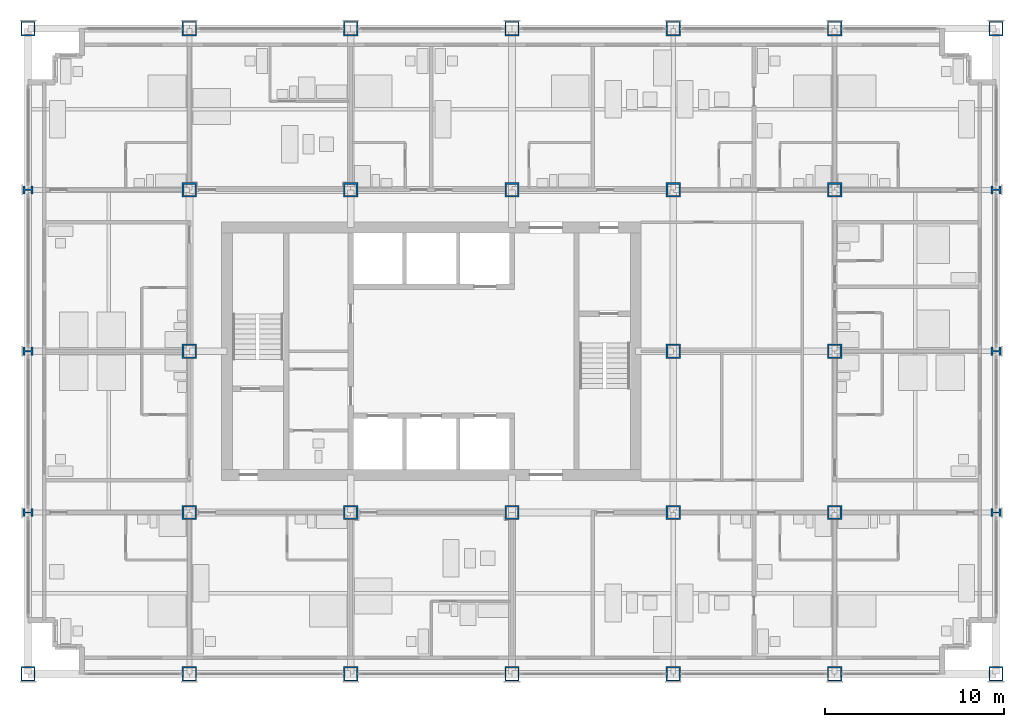
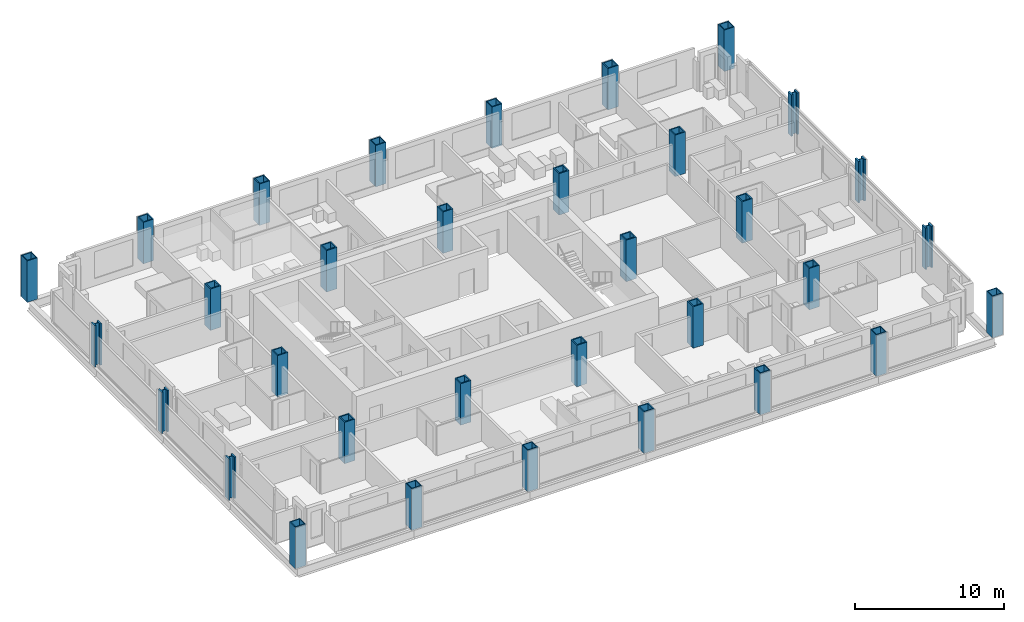
# One storey, part 1 of 18: 33 columns.
"""IFC4 building model written with IfcOpenShell, lengths in metres."""

import ifcopenshell
import ifcopenshell.guid

model = None  # the IFC model being written
_history = None  # IfcOwnerHistory: only IFC2X3 demands one
_inside = {}  # id of a spatial element -> (the spatial element, [elements in it])
_under = {}  # id of a project, library or spatial element -> (it, [spatial elements below it])
_declared = {}  # id of a project -> (the project, [libraries it declares])
_typed = {}  # id of a type object -> (the type object, [elements of that type])
_made_of = {}  # id of a material, layer set ... -> (it, [elements and type objects made of it])


def new_model(schema):
    """Start an empty IFC model of exactly this schema.

    Asked for "IFC4X3", IfcOpenShell would pick the latest addendum, in which some entities
    have other attributes; the version numbers below select the first issue.
    IFC2X3 requires an IfcOwnerHistory on every rooted entity: one is made here for all.
    """
    global model, _history
    if schema == "IFC4X3":
        model = ifcopenshell.file(schema_version=(4, 3, 0, 0))
    else:
        model = ifcopenshell.file(schema=schema)
    _inside.clear()
    _under.clear()
    _declared.clear()
    _typed.clear()
    _made_of.clear()
    _history = None
    if model.schema == "IFC2X3":
        org = make("IfcOrganization", Name="unknown")
        user = make(
            "IfcPersonAndOrganization",
            ThePerson=make("IfcPerson", FamilyName="unknown"),
            TheOrganization=org,
        )
        app = make(
            "IfcApplication",
            ApplicationDeveloper=org,
            Version="unknown",
            ApplicationFullName="unknown",
            ApplicationIdentifier="unknown",
        )
        _history = make(
            "IfcOwnerHistory",
            OwningUser=user,
            OwningApplication=app,
            ChangeAction="ADDED",
            CreationDate=0,
        )
    return model


def make(cls, **values):
    """One entity of the class cls with the attributes given. An attribute that is None is left unset."""
    return model.create_entity(
        cls, **{name: value for name, value in values.items() if value is not None}
    )


def rooted(cls, **values):
    """An entity with a GlobalId (a new one), such as an element, a storey or a relation."""
    return make(cls, GlobalId=ifcopenshell.guid.new(), OwnerHistory=_history, **values)


def si_unit(unit_type, name, prefix=None):
    """IfcSIUnit, for example si_unit("LENGTHUNIT", "METRE", prefix="MILLI")."""
    return make("IfcSIUnit", UnitType=unit_type, Prefix=prefix, Name=name)


def assignment(units):
    """IfcUnitAssignment: the units of a project."""
    return None if units is None else make("IfcUnitAssignment", Units=units)


def point(xyz):
    """IfcCartesianPoint."""
    return None if xyz is None else make("IfcCartesianPoint", Coordinates=xyz)


def direction(xyz):
    """IfcDirection."""
    return None if xyz is None else make("IfcDirection", DirectionRatios=xyz)


def frame(location, z_axis=None, x_axis=None):
    """IfcAxis2Placement3D, a coordinate frame: its origin and axes. An axis left out is left unset."""
    return make(
        "IfcAxis2Placement3D",
        Location=point(location),
        Axis=direction(z_axis),
        RefDirection=direction(x_axis),
    )


def frame_2d(location, x_axis=None):
    """IfcAxis2Placement2D, a coordinate frame in the plane: its origin and x axis."""
    return make(
        "IfcAxis2Placement2D", Location=point(location), RefDirection=direction(x_axis)
    )


def origin():
    """The frame at (0, 0, 0) with its axes left unset."""
    return frame((0.0, 0.0, 0.0))


def origin_2d():
    """The frame at (0, 0) in the plane with its x axis left unset."""
    return frame_2d((0.0, 0.0))


def place(relative_to, where):
    """IfcLocalPlacement: puts the frame where relative to a parent placement (None: the world)."""
    return make(
        "IfcLocalPlacement", PlacementRelTo=relative_to, RelativePlacement=where
    )


def context(
    kind, dimensions, precision=None, world=None, true_north=None, identifier=None
):
    """IfcGeometricRepresentationContext, for example the 3D "Model" context."""
    return make(
        "IfcGeometricRepresentationContext",
        ContextIdentifier=identifier,
        ContextType=kind,
        CoordinateSpaceDimension=dimensions,
        Precision=precision,
        WorldCoordinateSystem=world,
        TrueNorth=true_north,
    )


def subcontext(parent, identifier, kind, view, scale=None):
    """IfcGeometricRepresentationSubContext, for example "Body" below "Model"."""
    return make(
        "IfcGeometricRepresentationSubContext",
        ContextIdentifier=identifier,
        ContextType=kind,
        ParentContext=parent,
        TargetScale=scale,
        TargetView=view,
    )


def project(units=None, contexts=None):
    """IfcProject with its units and contexts."""
    return rooted(
        "IfcProject",
        Name="project",
        RepresentationContexts=contexts,
        UnitsInContext=assignment(units),
    )


def spatial(cls, under=None, at=None, **own):
    """A site, building, storey or space (cls), placed at a placement, below another one or the project."""
    s = rooted(cls, ObjectPlacement=at, **own)
    if under is not None:
        _under.setdefault(under.id(), (under, []))[1].append(s)
    return s


def profile(cls, at=None, kind="AREA", **sizes):
    """A parametric profile (cls). Its sizes go by their IFC names, for example OverallWidth=200.0."""
    return make(cls, ProfileType=kind, Position=at, **sizes)


def hollow_rectangle(**sizes):
    """IfcRectangleHollowProfileDef."""
    return profile("IfcRectangleHollowProfileDef", **sizes)


def i_section(**sizes):
    """IfcIShapeProfileDef."""
    return profile("IfcIShapeProfileDef", **sizes)


def extrude(swept, where, along, depth):
    """IfcExtrudedAreaSolid: the profile swept, set in the frame where, extruded along a direction by depth."""
    return make(
        "IfcExtrudedAreaSolid",
        SweptArea=swept,
        Position=where,
        ExtrudedDirection=direction(along),
        Depth=depth,
    )


def shape(context_of_items, identifier, shape_type, items):
    """IfcShapeRepresentation: the items that make up one representation, for example the "Body"."""
    return make(
        "IfcShapeRepresentation",
        ContextOfItems=context_of_items,
        RepresentationIdentifier=identifier,
        RepresentationType=shape_type,
        Items=items,
    )


def material(Name=None, Category=None):
    """IfcMaterial."""
    return make("IfcMaterial", Name=Name, Category=Category)


def material_profile(
    of_material, cross_section, Name=None, Category=None, Priority=None
):
    """IfcMaterialProfile: a cross section and its material."""
    return make(
        "IfcMaterialProfile",
        Name=Name,
        Material=of_material,
        Profile=cross_section,
        Priority=Priority,
        Category=Category,
    )


def profile_set(profiles, Name=None, composite=None):
    """IfcMaterialProfileSet."""
    return make(
        "IfcMaterialProfileSet",
        Name=Name,
        MaterialProfiles=profiles,
        CompositeProfile=composite,
    )


def made_of(thing, what):
    """Note that an element or type object is made of a material, layer set ...; save() writes the relation."""
    if what is not None:
        _made_of.setdefault(what.id(), (what, []))[1].append(thing)
    return thing


def type_object(cls, material=None, **own):
    """A type object (cls), such as IfcWallType, which elements share."""
    return made_of(rooted(cls, **own), material)


def element(
    cls,
    number,
    at=None,
    inside=None,
    cuts=None,
    type_object=None,
    material=None,
    context=None,
    identifier="Body",
    shape_type=None,
    held_by="IfcProductDefinitionShape",
    body=None,
    shapes=None,
    **own,
):
    """One element of the class cls, such as IfcWall. Its Tag is "e" and its number.

    at: its placement. inside: the storey or other place that contains it. cuts: it is an
    opening in that element (IfcRelVoidsElement). A single representation is given by context,
    identifier, shape_type and body (its items); several are given by shapes. held_by: the class
    of the entity that holds the representations. save() writes the other relations.
    """
    e = rooted(cls, Tag="e%d" % number, ObjectPlacement=at, **own)
    if body is not None:
        shapes = [shape(context, identifier, shape_type, body)]
    if shapes is not None:
        e.Representation = make(held_by, Representations=shapes)
    if inside is not None:
        _inside.setdefault(inside.id(), (inside, []))[1].append(e)
    if cuts is not None:
        rooted(
            "IfcRelVoidsElement", RelatingBuildingElement=cuts, RelatedOpeningElement=e
        )
    if type_object is not None:
        _typed.setdefault(type_object.id(), (type_object, []))[1].append(e)
    return made_of(e, material)


def aggregate(whole, parts):
    """IfcRelAggregates: a whole, such as a stair, and the parts it consists of."""
    return rooted("IfcRelAggregates", RelatingObject=whole, RelatedObjects=parts)


def save(model, path):
    """Write the relations noted so far, then the file.

    IfcRelAggregates (storeys below a building ...), IfcRelContainedInSpatialStructure (elements
    in a storey), IfcRelDefinesByType, IfcRelAssociatesMaterial and IfcRelDeclares: one each for
    every whole, place, type object, material and project.
    """
    for whole, parts in _under.values():
        aggregate(whole, parts)
    for where, things in _inside.values():
        rooted(
            "IfcRelContainedInSpatialStructure",
            RelatedElements=things,
            RelatingStructure=where,
        )
    for kind, things in _typed.values():
        rooted("IfcRelDefinesByType", RelatedObjects=things, RelatingType=kind)
    for what, things in _made_of.values():
        rooted("IfcRelAssociatesMaterial", RelatedObjects=things, RelatingMaterial=what)
    for by, libraries in _declared.values():
        rooted("IfcRelDeclares", RelatingContext=by, RelatedDefinitions=libraries)
    model.write(path)


model = new_model("IFC4")

# Units and contexts
model_context = context("Model", 3, precision=1e-05, world=origin(), true_north=direction((0.0, 1.0)))
body_context = subcontext(model_context, "Body", "Model", "MODEL_VIEW")
ifc_project = project(units=[si_unit("LENGTHUNIT", "METRE"), si_unit("AREAUNIT", "SQUARE_METRE"), si_unit("VOLUMEUNIT", "CUBIC_METRE"), si_unit("PLANEANGLEUNIT", "RADIAN"), si_unit("MASSUNIT", "GRAM", prefix="KILO")], contexts=[model_context])

# Site, building, storey
site_placement = place(None, origin())
site = spatial("IfcSite", under=ifc_project, at=site_placement, CompositionType="ELEMENT")
building_placement = place(site_placement, origin())
building = spatial("IfcBuilding", under=site, at=building_placement, Name="Loomwork Tower", CompositionType="ELEMENT")
storey_placement = place(building_placement, frame((0.0, 0.0, 72.199951171875)))
storey = spatial("IfcBuildingStorey", under=building, at=storey_placement, Name="L18", CompositionType="ELEMENT", Elevation=72.199951171875)

# Columns
ifc_material_1 = material(Name="Steel ASTM A572 Grade 50 plate", Category="steel")
ifc_material_profile_1 = material_profile(ifc_material_1, hollow_rectangle(XDim=0.800048828125, YDim=0.800048828125, WallThickness=0.070068359375, at=origin_2d()), Name="BOX800x70")
ifc_profile_set_1 = profile_set([ifc_material_profile_1], Name="Steel ASTM A572 Grade 50 plate")
column_type_1 = type_object("IfcColumnType", Name="EXOSKELETON PIER BOX800x70", PredefinedType="COLUMN", material=ifc_profile_set_1)
for number, where, z_axis, x_axis, name in (
    (1, (0.0, 0.0, 0.0), (0.0, 0.0, 1.0), (1.0, 0.0, 0.0), "Exoskeleton Pier D/2 L18"),
    (2, (0.0, 36.0, 0.0), (0.0, 0.0, 1.0), (1.0, 0.0, 0.0), "Exoskeleton Pier H/2 L18"),
    (3, (9.0, 0.0, 0.0), (0.0, 0.0, 1.0), (1.0, 0.0, 0.0), "Exoskeleton Pier D/3 L18"),
    (4, (9.0, 36.0, 0.0), (0.0, 0.0, 1.0), (1.0, 0.0, 0.0), "Exoskeleton Pier H/3 L18"),
    (5, (18.0, 0.0, 0.0), (0.0, 0.0, 1.0), (1.0, 0.0, 0.0), "Exoskeleton Pier D/4 L18"),
    (6, (18.0, 36.0, 0.0), (0.0, 0.0, 1.0), (1.0, 0.0, 0.0), "Exoskeleton Pier H/4 L18"),
    (7, (27.0, 0.0, 0.0), (0.0, 0.0, 1.0), (1.0, 0.0, 0.0), "Exoskeleton Pier D/5 L18"),
    (8, (27.0, 36.0, 0.0), (0.0, 0.0, 1.0), (1.0, 0.0, 0.0), "Exoskeleton Pier H/5 L18"),
    (9, (36.0, 0.0, 0.0), (0.0, 0.0, 1.0), (1.0, 0.0, 0.0), "Exoskeleton Pier D/6 L18"),
    (10, (36.0, 36.0, 0.0), (0.0, 0.0, 1.0), (1.0, 0.0, 0.0), "Exoskeleton Pier H/6 L18"),
    (11, (45.0, 0.0, 0.0), (0.0, 0.0, 1.0), (1.0, 0.0, 0.0), "Exoskeleton Pier D/7 L18"),
    (12, (45.0, 36.0, 0.0), (0.0, 0.0, 1.0), (1.0, 0.0, 0.0), "Exoskeleton Pier H/7 L18"),
    (13, (54.0, 0.0, 0.0), (0.0, 0.0, 1.0), (1.0, 0.0, 0.0), "Exoskeleton Pier D/8 L18"),
    (14, (54.0, 36.0, 0.0), (0.0, 0.0, 1.0), (1.0, 0.0, 0.0), "Exoskeleton Pier H/8 L18"),
):
    element("IfcColumn", number, at=place(storey_placement, frame(where, z_axis=z_axis, x_axis=x_axis)), inside=storey, type_object=column_type_1, Name=name, PredefinedType="COLUMN", context=body_context, shape_type="SweptSolid", body=[
        extrude(hollow_rectangle(XDim=0.800048828125, YDim=0.800048828125, WallThickness=0.070068359375, at=origin_2d()), origin(), (0.0, 0.0, 1.0), 3.400146484375),
    ])
ifc_material_2 = material(Name="Steel ASTM A992", Category="steel")
ifc_material_profile_2 = material_profile(ifc_material_2, i_section(OverallWidth=0.45458984375, OverallDepth=0.56884765625, WebThickness=0.077880859375, FlangeThickness=0.124755859375, at=origin_2d()), Name="W14x730")
ifc_profile_set_2 = profile_set([ifc_material_profile_2], Name="Steel ASTM A992")
column_type_2 = type_object("IfcColumnType", Name="EXOSKELETON PIER W14x730", PredefinedType="COLUMN", material=ifc_profile_set_2)
for number, where, z_axis, x_axis, name in (
    (15, (0.0, 9.0, 0.0), (0.0, 0.0, 1.0), (0.0, 1.0, 0.0), "Exoskeleton Pier E/2 L18"),
    (16, (0.0, 18.0, 0.0), (0.0, 0.0, 1.0), (0.0, 1.0, 0.0), "Exoskeleton Pier F/2 L18"),
    (17, (0.0, 27.0, 0.0), (0.0, 0.0, 1.0), (0.0, 1.0, 0.0), "Exoskeleton Pier G/2 L18"),
    (18, (54.0, 9.0, 0.0), (0.0, 0.0, 1.0), (0.0, 1.0, 0.0), "Exoskeleton Pier E/8 L18"),
    (19, (54.0, 18.0, 0.0), (0.0, 0.0, 1.0), (0.0, 1.0, 0.0), "Exoskeleton Pier F/8 L18"),
    (20, (54.0, 27.0, 0.0), (0.0, 0.0, 1.0), (0.0, 1.0, 0.0), "Exoskeleton Pier G/8 L18"),
):
    element("IfcColumn", number, at=place(storey_placement, frame(where, z_axis=z_axis, x_axis=x_axis)), inside=storey, type_object=column_type_2, Name=name, PredefinedType="COLUMN", context=body_context, shape_type="SweptSolid", body=[
        extrude(i_section(OverallWidth=0.45458984375, OverallDepth=0.56884765625, WebThickness=0.077880859375, FlangeThickness=0.124755859375, at=origin_2d()), origin(), (0.0, 0.0, 1.0), 3.400146484375),
    ])
ifc_material_3 = material(Name="Steel ASTM A572 Grade 50 plate", Category="steel")
ifc_material_profile_3 = material_profile(ifc_material_3, hollow_rectangle(XDim=0.800048828125, YDim=0.800048828125, WallThickness=0.090087890625, at=origin_2d()), Name="BOX800x90")
ifc_profile_set_3 = profile_set([ifc_material_profile_3], Name="Steel ASTM A572 Grade 50 plate")
column_type_3 = type_object("IfcColumnType", Name="TOWER COLUMN BOX800x90", PredefinedType="COLUMN", material=ifc_profile_set_3)
for number, where, z_axis, x_axis, name in (
    (21, (9.0, 9.0, 0.0), (0.0, 0.0, 1.0), (1.0, 0.0, 0.0), "Tower Column E/3 L18"),
    (22, (9.0, 18.0, 0.0), (0.0, 0.0, 1.0), (1.0, 0.0, 0.0), "Tower Column F/3 L18"),
    (23, (9.0, 27.0, 0.0), (0.0, 0.0, 1.0), (1.0, 0.0, 0.0), "Tower Column G/3 L18"),
    (24, (18.0, 9.0, 0.0), (0.0, 0.0, 1.0), (1.0, 0.0, 0.0), "Tower Column E/4 L18"),
    (25, (18.0, 27.0, 0.0), (0.0, 0.0, 1.0), (1.0, 0.0, 0.0), "Tower Column G/4 L18"),
    (26, (27.0, 9.0, 0.0), (0.0, 0.0, 1.0), (1.0, 0.0, 0.0), "Tower Column E/5 L18"),
    (27, (27.0, 27.0, 0.0), (0.0, 0.0, 1.0), (1.0, 0.0, 0.0), "Tower Column G/5 L18"),
    (28, (36.0, 9.0, 0.0), (0.0, 0.0, 1.0), (0.0, 1.0, 0.0), "Tower Column E/6 L18"),
    (29, (36.0, 18.0, 0.0), (0.0, 0.0, 1.0), (0.0, 1.0, 0.0), "Tower Column F/6 L18"),
    (30, (36.0, 27.0, 0.0), (0.0, 0.0, 1.0), (1.0, 0.0, 0.0), "Tower Column G/6 L18"),
    (31, (45.0, 9.0, 0.0), (0.0, 0.0, 1.0), (0.0, 1.0, 0.0), "Tower Column E/7 L18"),
    (32, (45.0, 18.0, 0.0), (0.0, 0.0, 1.0), (0.0, 1.0, 0.0), "Tower Column F/7 L18"),
    (33, (45.0, 27.0, 0.0), (0.0, 0.0, 1.0), (0.0, 1.0, 0.0), "Tower Column G/7 L18"),
):
    element("IfcColumn", number, at=place(storey_placement, frame(where, z_axis=z_axis, x_axis=x_axis)), inside=storey, type_object=column_type_3, Name=name, PredefinedType="COLUMN", context=body_context, shape_type="SweptSolid", body=[
        extrude(hollow_rectangle(XDim=0.800048828125, YDim=0.800048828125, WallThickness=0.090087890625, at=origin_2d()), origin(), (0.0, 0.0, 1.0), 3.400146484375),
    ])

save(model, "model.ifc")
